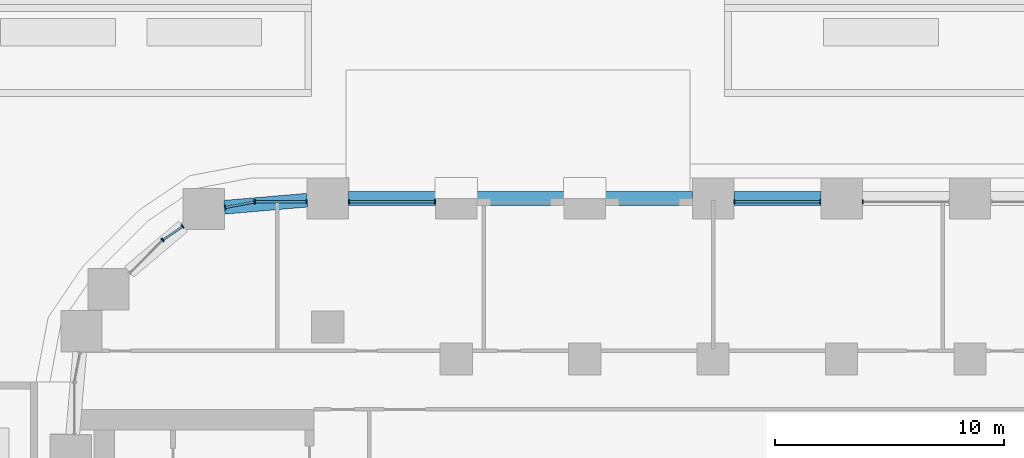
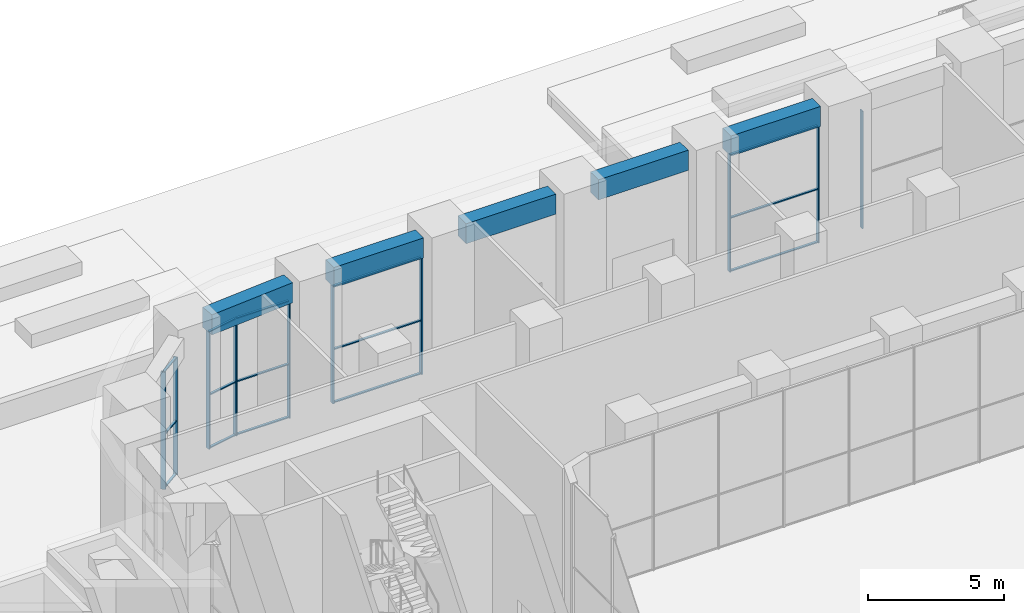
# One storey, part 14 of 51: 27 members, 5 beams, 7 elements without a shape of their own.
"""IFC4 building model written with IfcOpenShell, lengths in metres."""

from ifc_helpers import new_model, si_unit, direction, frame, origin, origin_2d, place, context, subcontext, project, spatial, rectangle, extrude, material, layer, layer_set, material_profile, profile_set, type_object, element, aggregate, save


model = new_model("IFC4")

# Units and contexts
model_context = context("Model", 3, precision=1e-05, world=origin(), true_north=direction((0.0, 1.0)))
body_context = subcontext(model_context, "Body", "Model", "MODEL_VIEW")
ifc_project = project(units=[si_unit("LENGTHUNIT", "METRE"), si_unit("AREAUNIT", "SQUARE_METRE"), si_unit("VOLUMEUNIT", "CUBIC_METRE"), si_unit("PLANEANGLEUNIT", "RADIAN"), si_unit("MASSUNIT", "GRAM", prefix="KILO")], contexts=[model_context])

# Site, building, storey
site_placement = place(None, origin())
site = spatial("IfcSite", under=ifc_project, at=site_placement, CompositionType="ELEMENT")
building_placement = place(site_placement, origin())
building = spatial("IfcBuilding", under=site, at=building_placement, Name="Kiln Ring Residences", CompositionType="ELEMENT")
storey_placement = place(building_placement, origin())
storey = spatial("IfcBuildingStorey", under=building, at=storey_placement, Name="L00", CompositionType="ELEMENT", Elevation=0.0)

# Curtain wall, member
ifc_material_1 = material(Name="Aluminium and glass", Category="aluminium")
ifc_layer = layer(ifc_material_1, 0.179931640625)
ifc_layer_set = layer_set([ifc_layer], Name="CW2 CURTAIN WALL")
curtain_wall_type = type_object("IfcCurtainWallType", Name="CW2 CURTAIN WALL", PredefinedType="NOTDEFINED", material=ifc_layer_set)
placement = place(storey_placement, origin())
curtain_wall_1 = element("IfcCurtainWall", 1, at=placement, inside=storey, type_object=curtain_wall_type, Name="Curtain wall CW2 L00", PredefinedType="NOTDEFINED")
ifc_material_2 = material(Name="Aluminium 6063-T6", Category="aluminium")
ifc_material_profile_1 = material_profile(ifc_material_2, rectangle(XDim=0.179931640625, YDim=0.050048828125, at=origin_2d()), Name="AL 180x50")
ifc_profile_set_1 = profile_set([ifc_material_profile_1], Name="Aluminium 6063-T6")
member_type_1 = type_object("IfcMemberType", Name="CW2 MULLION 180 x 50", PredefinedType="MULLION", material=ifc_profile_set_1)
member_1_placement = place(storey_placement, frame((6.52490234375, 22.25, 0.0), z_axis=(0.0, 0.0, 1.0), x_axis=(0.0, -1.0, 0.0)))
member_1 = element("IfcMember", 2, at=member_1_placement, type_object=member_type_1, Name="CW2 mullion 2", PredefinedType="MULLION", context=body_context, shape_type="SweptSolid", body=[
    extrude(rectangle(XDim=0.179931640625, YDim=0.050048828125, at=origin_2d()), origin(), (0.0, 0.0, 1.0), 5.25),
])
aggregate(curtain_wall_1, [member_1])

# Curtain wall, members
curtain_wall_2 = element("IfcCurtainWall", 3, at=placement, inside=storey, type_object=curtain_wall_type, Name="Curtain wall CW2 L00", PredefinedType="NOTDEFINED")
member_2_placement = place(storey_placement, frame((4.675048828125, 22.25, 0.0), z_axis=(0.0, 0.0, 1.0), x_axis=(0.0, -1.0, 0.0)))
member_2 = element("IfcMember", 4, at=member_2_placement, type_object=member_type_1, Name="CW2 mullion 1", PredefinedType="MULLION", context=body_context, shape_type="SweptSolid", body=[
    extrude(rectangle(XDim=0.179931640625, YDim=0.050048828125, at=origin_2d()), origin(), (0.0, 0.0, 1.0), 5.25),
])
member_3_placement = place(storey_placement, frame((0.925048828125, 22.25, 0.0), z_axis=(0.0, 0.0, 1.0), x_axis=(0.0, -1.0, 0.0)))
member_3 = element("IfcMember", 5, at=member_3_placement, type_object=member_type_1, Name="CW2 mullion 2", PredefinedType="MULLION", context=body_context, shape_type="SweptSolid", body=[
    extrude(rectangle(XDim=0.179931640625, YDim=0.050048828125, at=origin_2d()), origin(), (0.0, 0.0, 1.0), 5.25),
])

curtain_wall_3 = element("IfcCurtainWall", 6, at=placement, inside=storey, type_object=curtain_wall_type, Name="Curtain wall CW2 L00", PredefinedType="NOTDEFINED")
member_4_placement = place(storey_placement, frame((-12.125, 22.25, 0.0), z_axis=(0.0, 0.0, 1.0), x_axis=(0.0, -1.0, 0.0)))
member_4 = element("IfcMember", 7, at=member_4_placement, type_object=member_type_1, Name="CW2 mullion 1", PredefinedType="MULLION", context=body_context, shape_type="SweptSolid", body=[
    extrude(rectangle(XDim=0.179931640625, YDim=0.050048828125, at=origin_2d()), origin(), (0.0, 0.0, 1.0), 5.25),
])
member_5_placement = place(storey_placement, frame((-15.875, 22.25, 0.0), z_axis=(0.0, 0.0, 1.0), x_axis=(0.0, -1.0, 0.0)))
member_5 = element("IfcMember", 8, at=member_5_placement, type_object=member_type_1, Name="CW2 mullion 2", PredefinedType="MULLION", context=body_context, shape_type="SweptSolid", body=[
    extrude(rectangle(XDim=0.179931640625, YDim=0.050048828125, at=origin_2d()), origin(), (0.0, 0.0, 1.0), 5.25),
])

curtain_wall_4 = element("IfcCurtainWall", 9, at=placement, inside=storey, type_object=curtain_wall_type, Name="Curtain wall CW2 L00", PredefinedType="NOTDEFINED")
member_6_placement = place(storey_placement, frame((-17.72509765625, 22.25, 0.0), z_axis=(0.0, 0.0, 1.0), x_axis=(0.0, -1.0, 0.0)))
member_6 = element("IfcMember", 10, at=member_6_placement, type_object=member_type_1, Name="CW2 mullion 1", PredefinedType="MULLION", context=body_context, shape_type="SweptSolid", body=[
    extrude(rectangle(XDim=0.179931640625, YDim=0.050048828125, at=origin_2d()), origin(), (0.0, 0.0, 1.0), 5.25),
])
member_7_placement = place(storey_placement, frame((-19.97509765625, 22.25, 0.0), z_axis=(0.0, 0.0, 1.0), x_axis=(0.0, -1.0, 0.0)))
member_7 = element("IfcMember", 11, at=member_7_placement, type_object=member_type_1, Name="CW2 mullion 2", PredefinedType="MULLION", context=body_context, shape_type="SweptSolid", body=[
    extrude(rectangle(XDim=0.179931640625, YDim=0.050048828125, at=origin_2d()), origin(), (0.0, 0.0, 1.0), 5.25),
])

curtain_wall_5 = element("IfcCurtainWall", 12, at=placement, inside=storey, type_object=curtain_wall_type, Name="Curtain wall CW2 L00", PredefinedType="NOTDEFINED")
member_8_placement = place(storey_placement, frame((-19.996337890625, 22.248046875, 0.0), z_axis=(0.0, 0.0, 1.0), x_axis=(0.187365550279, -0.9822902578, 0.0)))
member_8 = element("IfcMember", 13, at=member_8_placement, type_object=member_type_1, Name="CW2 mullion 1", PredefinedType="MULLION", context=body_context, shape_type="SweptSolid", body=[
    extrude(rectangle(XDim=0.179931640625, YDim=0.050048828125, at=origin_2d()), origin(), (0.0, 0.0, 1.0), 5.25),
])
member_9_placement = place(storey_placement, frame((-21.279541015625, 22.003173828125, 0.0), z_axis=(0.0, 0.0, 1.0), x_axis=(0.187365550279, -0.9822902578, 0.0)))
member_9 = element("IfcMember", 14, at=member_9_placement, type_object=member_type_1, Name="CW2 mullion 2", PredefinedType="MULLION", context=body_context, shape_type="SweptSolid", body=[
    extrude(rectangle(XDim=0.179931640625, YDim=0.050048828125, at=origin_2d()), origin(), (0.0, 0.0, 1.0), 5.25),
])

curtain_wall_6 = element("IfcCurtainWall", 15, at=placement, inside=storey, type_object=curtain_wall_type, Name="Curtain wall CW2 L00", PredefinedType="NOTDEFINED")
member_10_placement = place(storey_placement, frame((-23.12939453125, 21.17919921875, 0.0), z_axis=(0.0, 0.0, 1.0), x_axis=(0.562096651308, -0.827071553488, 0.0)))
member_10 = element("IfcMember", 16, at=member_10_placement, type_object=member_type_1, Name="CW2 mullion 1", PredefinedType="MULLION", context=body_context, shape_type="SweptSolid", body=[
    extrude(rectangle(XDim=0.179931640625, YDim=0.050048828125, at=origin_2d()), origin(), (0.0, 0.0, 1.0), 5.25),
])
member_11_placement = place(storey_placement, frame((-23.991943359375, 20.593017578125, 0.0), z_axis=(0.0, 0.0, 1.0), x_axis=(0.562096651308, -0.827071553488, 0.0)))
member_11 = element("IfcMember", 17, at=member_11_placement, type_object=member_type_1, Name="CW2 mullion 2", PredefinedType="MULLION", context=body_context, shape_type="SweptSolid", body=[
    extrude(rectangle(XDim=0.179931640625, YDim=0.050048828125, at=origin_2d()), origin(), (0.0, 0.0, 1.0), 5.25),
])

# Curtain wall, member
curtain_wall_7 = element("IfcCurtainWall", 18, at=placement, inside=storey, type_object=curtain_wall_type, Name="Curtain wall CW2 L00", PredefinedType="NOTDEFINED")
member_12_placement = place(storey_placement, frame((-24.0087890625, 20.5791015625, 0.0), z_axis=(0.0, 0.0, 1.0), x_axis=(0.707106781187, -0.707106781187, 0.0)))
member_12 = element("IfcMember", 19, at=member_12_placement, type_object=member_type_1, Name="CW2 mullion 1", PredefinedType="MULLION", context=body_context, shape_type="SweptSolid", body=[
    extrude(rectangle(XDim=0.179931640625, YDim=0.050048828125, at=origin_2d()), origin(), (0.0, 0.0, 1.0), 5.25),
])
aggregate(curtain_wall_7, [member_12])

# Member
ifc_material_3 = material(Name="Aluminium 6063-T6", Category="aluminium")
ifc_material_profile_2 = material_profile(ifc_material_3, rectangle(XDim=0.10009765625, YDim=0.050048828125, at=origin_2d()), Name="AL 100x50")
ifc_profile_set_2 = profile_set([ifc_material_profile_2], Name="Aluminium 6063-T6")
member_type_2 = type_object("IfcMemberType", Name="CW2 TRANSOM 100 x 50", PredefinedType="USERDEFINED", material=ifc_profile_set_2)
member_13_placement = place(storey_placement, frame((4.64990234375, 22.25, 0.02490234375), z_axis=(-1.0, 0.0, 0.0), x_axis=(0.0, -1.0, 0.0)))
member_13 = element("IfcMember", 20, at=member_13_placement, type_object=member_type_2, Name="CW2 transom 1.1", ObjectType="TRANSOM", PredefinedType="USERDEFINED", context=body_context, shape_type="SweptSolid", body=[
    extrude(rectangle(XDim=0.10009765625, YDim=0.050048828125, at=origin_2d()), origin(), (0.0, 0.0, 1.0), 3.699951171875),
])

member_14_placement = place(storey_placement, frame((4.64990234375, 22.25, 2.39990234375), z_axis=(-1.0, 0.0, 0.0), x_axis=(0.0, -1.0, 0.0)))
member_14 = element("IfcMember", 21, at=member_14_placement, type_object=member_type_2, Name="CW2 transom 1.2", ObjectType="TRANSOM", PredefinedType="USERDEFINED", context=body_context, shape_type="SweptSolid", body=[
    extrude(rectangle(XDim=0.10009765625, YDim=0.050048828125, at=origin_2d()), origin(), (0.0, 0.0, 1.0), 3.699951171875),
])

member_15_placement = place(storey_placement, frame((4.64990234375, 22.25, 5.22509765625), z_axis=(-1.0, 0.0, 0.0), x_axis=(0.0, -1.0, 0.0)))
member_15 = element("IfcMember", 22, at=member_15_placement, type_object=member_type_2, Name="CW2 transom 1.3", ObjectType="TRANSOM", PredefinedType="USERDEFINED", context=body_context, shape_type="SweptSolid", body=[
    extrude(rectangle(XDim=0.10009765625, YDim=0.050048828125, at=origin_2d()), origin(), (0.0, 0.0, 1.0), 3.699951171875),
])

aggregate(curtain_wall_2, [member_2, member_3, member_13, member_14, member_15])

member_16_placement = place(storey_placement, frame((-12.14990234375, 22.25, 0.02490234375), z_axis=(-1.0, 0.0, 0.0), x_axis=(0.0, -1.0, 0.0)))
member_16 = element("IfcMember", 23, at=member_16_placement, type_object=member_type_2, Name="CW2 transom 1.1", ObjectType="TRANSOM", PredefinedType="USERDEFINED", context=body_context, shape_type="SweptSolid", body=[
    extrude(rectangle(XDim=0.10009765625, YDim=0.050048828125, at=origin_2d()), origin(), (0.0, 0.0, 1.0), 3.7001953125),
])

member_17_placement = place(storey_placement, frame((-12.14990234375, 22.25, 2.39990234375), z_axis=(-1.0, 0.0, 0.0), x_axis=(0.0, -1.0, 0.0)))
member_17 = element("IfcMember", 24, at=member_17_placement, type_object=member_type_2, Name="CW2 transom 1.2", ObjectType="TRANSOM", PredefinedType="USERDEFINED", context=body_context, shape_type="SweptSolid", body=[
    extrude(rectangle(XDim=0.10009765625, YDim=0.050048828125, at=origin_2d()), origin(), (0.0, 0.0, 1.0), 3.7001953125),
])

member_18_placement = place(storey_placement, frame((-12.14990234375, 22.25, 5.22509765625), z_axis=(-1.0, 0.0, 0.0), x_axis=(0.0, -1.0, 0.0)))
member_18 = element("IfcMember", 25, at=member_18_placement, type_object=member_type_2, Name="CW2 transom 1.3", ObjectType="TRANSOM", PredefinedType="USERDEFINED", context=body_context, shape_type="SweptSolid", body=[
    extrude(rectangle(XDim=0.10009765625, YDim=0.050048828125, at=origin_2d()), origin(), (0.0, 0.0, 1.0), 3.7001953125),
])

aggregate(curtain_wall_3, [member_4, member_5, member_16, member_17, member_18])

member_19_placement = place(storey_placement, frame((-17.75, 22.25, 0.02490234375), z_axis=(-1.0, 0.0, 0.0), x_axis=(0.0, -1.0, 0.0)))
member_19 = element("IfcMember", 26, at=member_19_placement, type_object=member_type_2, Name="CW2 transom 1.1", ObjectType="TRANSOM", PredefinedType="USERDEFINED", context=body_context, shape_type="SweptSolid", body=[
    extrude(rectangle(XDim=0.10009765625, YDim=0.050048828125, at=origin_2d()), origin(), (0.0, 0.0, 1.0), 2.199951171875),
])

member_20_placement = place(storey_placement, frame((-17.75, 22.25, 2.39990234375), z_axis=(-1.0, 0.0, 0.0), x_axis=(0.0, -1.0, 0.0)))
member_20 = element("IfcMember", 27, at=member_20_placement, type_object=member_type_2, Name="CW2 transom 1.2", ObjectType="TRANSOM", PredefinedType="USERDEFINED", context=body_context, shape_type="SweptSolid", body=[
    extrude(rectangle(XDim=0.10009765625, YDim=0.050048828125, at=origin_2d()), origin(), (0.0, 0.0, 1.0), 2.199951171875),
])

member_21_placement = place(storey_placement, frame((-17.75, 22.25, 5.22509765625), z_axis=(-1.0, 0.0, 0.0), x_axis=(0.0, -1.0, 0.0)))
member_21 = element("IfcMember", 28, at=member_21_placement, type_object=member_type_2, Name="CW2 transom 1.3", ObjectType="TRANSOM", PredefinedType="USERDEFINED", context=body_context, shape_type="SweptSolid", body=[
    extrude(rectangle(XDim=0.10009765625, YDim=0.050048828125, at=origin_2d()), origin(), (0.0, 0.0, 1.0), 2.199951171875),
])

aggregate(curtain_wall_4, [member_6, member_7, member_19, member_20, member_21])

member_22_placement = place(storey_placement, frame((-20.02099609375, 22.243408203125, 0.02490234375), z_axis=(-0.982255114472, -0.18754970033, 0.0), x_axis=(0.18754970033, -0.982255114472, 0.0)))
member_22 = element("IfcMember", 29, at=member_22_placement, type_object=member_type_2, Name="CW2 transom 1.1", ObjectType="TRANSOM", PredefinedType="USERDEFINED", context=body_context, shape_type="SweptSolid", body=[
    extrude(rectangle(XDim=0.10009765625, YDim=0.050048828125, at=origin_2d()), origin(), (0.0, 0.0, 1.0), 1.256103515625),
])

member_23_placement = place(storey_placement, frame((-20.02099609375, 22.243408203125, 2.39990234375), z_axis=(-0.982255114472, -0.18754970033, 0.0), x_axis=(0.18754970033, -0.982255114472, 0.0)))
member_23 = element("IfcMember", 30, at=member_23_placement, type_object=member_type_2, Name="CW2 transom 1.2", ObjectType="TRANSOM", PredefinedType="USERDEFINED", context=body_context, shape_type="SweptSolid", body=[
    extrude(rectangle(XDim=0.10009765625, YDim=0.050048828125, at=origin_2d()), origin(), (0.0, 0.0, 1.0), 1.256103515625),
])

member_24_placement = place(storey_placement, frame((-20.02099609375, 22.243408203125, 5.22509765625), z_axis=(-0.982255114472, -0.18754970033, 0.0), x_axis=(0.18754970033, -0.982255114472, 0.0)))
member_24 = element("IfcMember", 31, at=member_24_placement, type_object=member_type_2, Name="CW2 transom 1.3", ObjectType="TRANSOM", PredefinedType="USERDEFINED", context=body_context, shape_type="SweptSolid", body=[
    extrude(rectangle(XDim=0.10009765625, YDim=0.050048828125, at=origin_2d()), origin(), (0.0, 0.0, 1.0), 1.256103515625),
])

aggregate(curtain_wall_5, [member_8, member_9, member_22, member_23, member_24])

member_25_placement = place(storey_placement, frame((-23.150146484375, 21.165283203125, 0.02490234375), z_axis=(-0.826985938738, -0.562222604606, 0.0), x_axis=(0.562222604606, -0.826985938738, 0.0)))
member_25 = element("IfcMember", 32, at=member_25_placement, type_object=member_type_2, Name="CW2 transom 1.1", ObjectType="TRANSOM", PredefinedType="USERDEFINED", context=body_context, shape_type="SweptSolid", body=[
    extrude(rectangle(XDim=0.10009765625, YDim=0.050048828125, at=origin_2d()), origin(), (0.0, 0.0, 1.0), 0.9931640625),
])

member_26_placement = place(storey_placement, frame((-23.150146484375, 21.165283203125, 2.39990234375), z_axis=(-0.826985938738, -0.562222604606, 0.0), x_axis=(0.562222604606, -0.826985938738, 0.0)))
member_26 = element("IfcMember", 33, at=member_26_placement, type_object=member_type_2, Name="CW2 transom 1.2", ObjectType="TRANSOM", PredefinedType="USERDEFINED", context=body_context, shape_type="SweptSolid", body=[
    extrude(rectangle(XDim=0.10009765625, YDim=0.050048828125, at=origin_2d()), origin(), (0.0, 0.0, 1.0), 0.9931640625),
])

member_27_placement = place(storey_placement, frame((-23.150146484375, 21.165283203125, 5.22509765625), z_axis=(-0.826985938738, -0.562222604606, 0.0), x_axis=(0.562222604606, -0.826985938738, 0.0)))
member_27 = element("IfcMember", 34, at=member_27_placement, type_object=member_type_2, Name="CW2 transom 1.3", ObjectType="TRANSOM", PredefinedType="USERDEFINED", context=body_context, shape_type="SweptSolid", body=[
    extrude(rectangle(XDim=0.10009765625, YDim=0.050048828125, at=origin_2d()), origin(), (0.0, 0.0, 1.0), 0.9931640625),
])

aggregate(curtain_wall_6, [member_10, member_11, member_25, member_26, member_27])

# Beams
ifc_material_4 = material(Name="Concrete C50/60", Category="concrete")
ifc_material_profile_3 = material_profile(ifc_material_4, rectangle(XDim=0.60009765625, YDim=0.89990234375, at=origin_2d()), Name="RC600x900")
ifc_profile_set_3 = profile_set([ifc_material_profile_3], Name="Concrete C50/60")
beam_type = type_object("IfcBeamType", Name="Spandrel beam RC600x900 C50/60", PredefinedType="SPANDREL", material=ifc_profile_set_3)
for number, where, z_axis, x_axis, name in (
    (35, (4.699951171875, 22.39990234375, 5.699951171875), (-1.0, 0.0, 0.0), (0.0, -1.0, 0.0), "Spandrel beam L00 20"),
    (36, (-0.89990234375, 22.39990234375, 5.699951171875), (-1.0, 0.0, 0.0), (0.0, -1.0, 0.0), "Spandrel beam L00 21"),
    (37, (-6.5, 22.39990234375, 5.699951171875), (-1.0, 0.0, 0.0), (0.0, -1.0, 0.0), "Spandrel beam L00 22"),
):
    element("IfcBeam", number, at=place(storey_placement, frame(where, z_axis=z_axis, x_axis=x_axis)), inside=storey, type_object=beam_type, Name=name, PredefinedType="SPANDREL", context=body_context, shape_type="SweptSolid", body=[
        extrude(rectangle(XDim=0.60009765625, YDim=0.89990234375, at=origin_2d()), origin(), (0.0, 0.0, 1.0), 3.800048828125),
    ])
beam_1_placement = place(storey_placement, frame((-12.10009765625, 22.39990234375, 5.699951171875), z_axis=(-1.0, 0.0, 0.0), x_axis=(0.0, -1.0, 0.0)))
element("IfcBeam", 38, at=beam_1_placement, inside=storey, type_object=beam_type, Name="Spandrel beam L00 23", PredefinedType="SPANDREL", context=body_context, shape_type="SweptSolid", body=[
    extrude(rectangle(XDim=0.60009765625, YDim=0.89990234375, at=origin_2d()), origin(), (0.0, 0.0, 1.0), 3.7998046875),
])
beam_2_placement = place(storey_placement, frame((-17.699951171875, 22.3232421875, 5.699951171875), z_axis=(-0.996369229372, -0.0851372936, 0.0), x_axis=(0.0851372936, -0.996369229372, 0.0)))
element("IfcBeam", 39, at=beam_2_placement, inside=storey, type_object=beam_type, Name="Spandrel beam L00 24", PredefinedType="SPANDREL", context=body_context, shape_type="SweptSolid", body=[
    extrude(rectangle(XDim=0.60009765625, YDim=0.89990234375, at=origin_2d()), origin(), (0.0, 0.0, 1.0), 3.621826171875),
])

save(model, "model.ifc")
